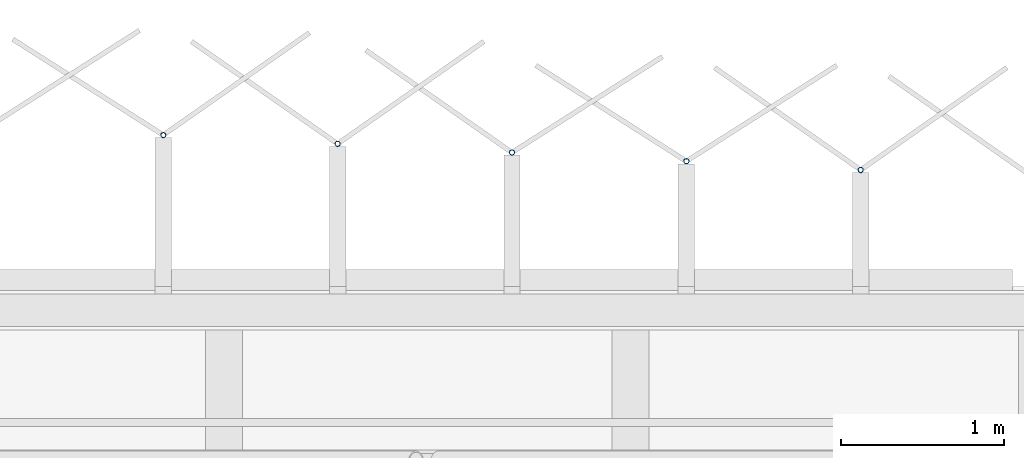
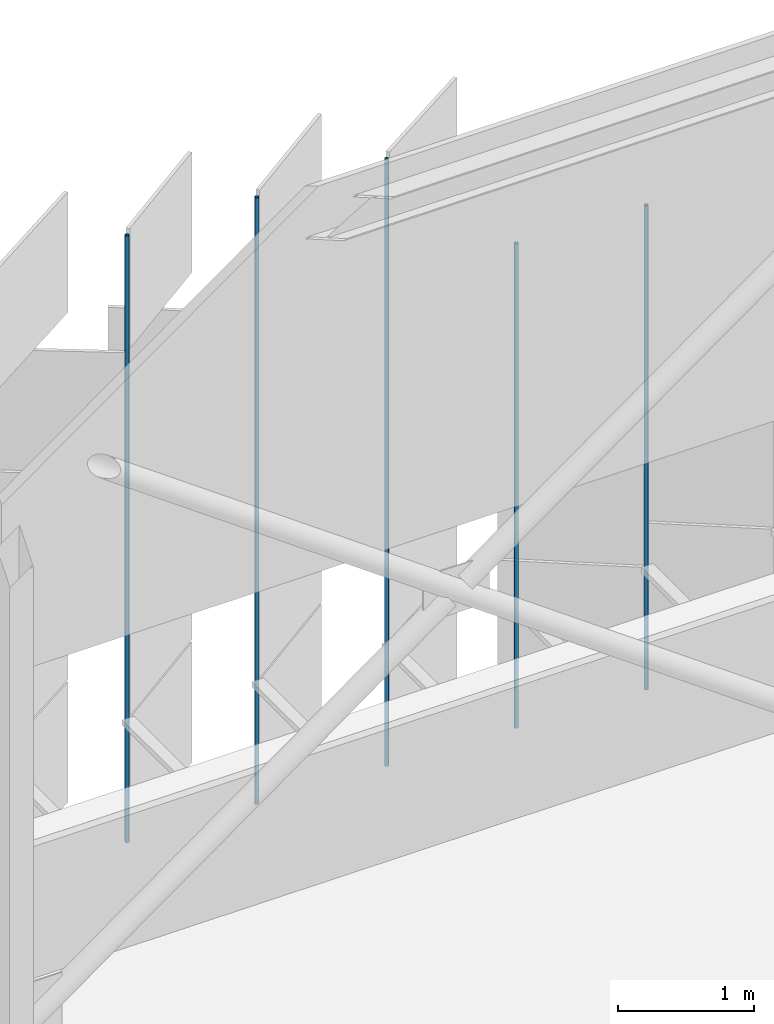
# One storey, part 334 of 483: 5 discrete accessories.
"""IFC4 building model written with IfcOpenShell, lengths in metres."""

import ifcopenshell
import ifcopenshell.guid

model = None  # the IFC model being written
_history = None  # IfcOwnerHistory: only IFC2X3 demands one
_inside = {}  # id of a spatial element -> (the spatial element, [elements in it])
_under = {}  # id of a project, library or spatial element -> (it, [spatial elements below it])
_declared = {}  # id of a project -> (the project, [libraries it declares])
_typed = {}  # id of a type object -> (the type object, [elements of that type])
_made_of = {}  # id of a material, layer set ... -> (it, [elements and type objects made of it])


def new_model(schema):
    """Start an empty IFC model of exactly this schema.

    Asked for "IFC4X3", IfcOpenShell would pick the latest addendum, in which some entities
    have other attributes; the version numbers below select the first issue.
    IFC2X3 requires an IfcOwnerHistory on every rooted entity: one is made here for all.
    """
    global model, _history
    if schema == "IFC4X3":
        model = ifcopenshell.file(schema_version=(4, 3, 0, 0))
    else:
        model = ifcopenshell.file(schema=schema)
    _inside.clear()
    _under.clear()
    _declared.clear()
    _typed.clear()
    _made_of.clear()
    _history = None
    if model.schema == "IFC2X3":
        org = make("IfcOrganization", Name="unknown")
        user = make(
            "IfcPersonAndOrganization",
            ThePerson=make("IfcPerson", FamilyName="unknown"),
            TheOrganization=org,
        )
        app = make(
            "IfcApplication",
            ApplicationDeveloper=org,
            Version="unknown",
            ApplicationFullName="unknown",
            ApplicationIdentifier="unknown",
        )
        _history = make(
            "IfcOwnerHistory",
            OwningUser=user,
            OwningApplication=app,
            ChangeAction="ADDED",
            CreationDate=0,
        )
    return model


def make(cls, **values):
    """One entity of the class cls with the attributes given. An attribute that is None is left unset."""
    return model.create_entity(
        cls, **{name: value for name, value in values.items() if value is not None}
    )


def rooted(cls, **values):
    """An entity with a GlobalId (a new one), such as an element, a storey or a relation."""
    return make(cls, GlobalId=ifcopenshell.guid.new(), OwnerHistory=_history, **values)


def si_unit(unit_type, name, prefix=None):
    """IfcSIUnit, for example si_unit("LENGTHUNIT", "METRE", prefix="MILLI")."""
    return make("IfcSIUnit", UnitType=unit_type, Prefix=prefix, Name=name)


def assignment(units):
    """IfcUnitAssignment: the units of a project."""
    return None if units is None else make("IfcUnitAssignment", Units=units)


def point(xyz):
    """IfcCartesianPoint."""
    return None if xyz is None else make("IfcCartesianPoint", Coordinates=xyz)


def direction(xyz):
    """IfcDirection."""
    return None if xyz is None else make("IfcDirection", DirectionRatios=xyz)


def frame(location, z_axis=None, x_axis=None):
    """IfcAxis2Placement3D, a coordinate frame: its origin and axes. An axis left out is left unset."""
    return make(
        "IfcAxis2Placement3D",
        Location=point(location),
        Axis=direction(z_axis),
        RefDirection=direction(x_axis),
    )


def frame_2d(location, x_axis=None):
    """IfcAxis2Placement2D, a coordinate frame in the plane: its origin and x axis."""
    return make(
        "IfcAxis2Placement2D", Location=point(location), RefDirection=direction(x_axis)
    )


def origin():
    """The frame at (0, 0, 0) with its axes left unset."""
    return frame((0.0, 0.0, 0.0))


def origin_2d():
    """The frame at (0, 0) in the plane with its x axis left unset."""
    return frame_2d((0.0, 0.0))


def place(relative_to, where):
    """IfcLocalPlacement: puts the frame where relative to a parent placement (None: the world)."""
    return make(
        "IfcLocalPlacement", PlacementRelTo=relative_to, RelativePlacement=where
    )


def context(
    kind, dimensions, precision=None, world=None, true_north=None, identifier=None
):
    """IfcGeometricRepresentationContext, for example the 3D "Model" context."""
    return make(
        "IfcGeometricRepresentationContext",
        ContextIdentifier=identifier,
        ContextType=kind,
        CoordinateSpaceDimension=dimensions,
        Precision=precision,
        WorldCoordinateSystem=world,
        TrueNorth=true_north,
    )


def subcontext(parent, identifier, kind, view, scale=None):
    """IfcGeometricRepresentationSubContext, for example "Body" below "Model"."""
    return make(
        "IfcGeometricRepresentationSubContext",
        ContextIdentifier=identifier,
        ContextType=kind,
        ParentContext=parent,
        TargetScale=scale,
        TargetView=view,
    )


def project(units=None, contexts=None):
    """IfcProject with its units and contexts."""
    return rooted(
        "IfcProject",
        Name="project",
        RepresentationContexts=contexts,
        UnitsInContext=assignment(units),
    )


def spatial(cls, under=None, at=None, **own):
    """A site, building, storey or space (cls), placed at a placement, below another one or the project."""
    s = rooted(cls, ObjectPlacement=at, **own)
    if under is not None:
        _under.setdefault(under.id(), (under, []))[1].append(s)
    return s


def profile(cls, at=None, kind="AREA", **sizes):
    """A parametric profile (cls). Its sizes go by their IFC names, for example OverallWidth=200.0."""
    return make(cls, ProfileType=kind, Position=at, **sizes)


def hollow_circle(**sizes):
    """IfcCircleHollowProfileDef."""
    return profile("IfcCircleHollowProfileDef", **sizes)


def extrude(swept, where, along, depth):
    """IfcExtrudedAreaSolid: the profile swept, set in the frame where, extruded along a direction by depth."""
    return make(
        "IfcExtrudedAreaSolid",
        SweptArea=swept,
        Position=where,
        ExtrudedDirection=direction(along),
        Depth=depth,
    )


def shape(context_of_items, identifier, shape_type, items):
    """IfcShapeRepresentation: the items that make up one representation, for example the "Body"."""
    return make(
        "IfcShapeRepresentation",
        ContextOfItems=context_of_items,
        RepresentationIdentifier=identifier,
        RepresentationType=shape_type,
        Items=items,
    )


def material(Name=None, Category=None):
    """IfcMaterial."""
    return make("IfcMaterial", Name=Name, Category=Category)


def material_profile(
    of_material, cross_section, Name=None, Category=None, Priority=None
):
    """IfcMaterialProfile: a cross section and its material."""
    return make(
        "IfcMaterialProfile",
        Name=Name,
        Material=of_material,
        Profile=cross_section,
        Priority=Priority,
        Category=Category,
    )


def profile_set(profiles, Name=None, composite=None):
    """IfcMaterialProfileSet."""
    return make(
        "IfcMaterialProfileSet",
        Name=Name,
        MaterialProfiles=profiles,
        CompositeProfile=composite,
    )


def made_of(thing, what):
    """Note that an element or type object is made of a material, layer set ...; save() writes the relation."""
    if what is not None:
        _made_of.setdefault(what.id(), (what, []))[1].append(thing)
    return thing


def type_object(cls, material=None, **own):
    """A type object (cls), such as IfcWallType, which elements share."""
    return made_of(rooted(cls, **own), material)


def element(
    cls,
    number,
    at=None,
    inside=None,
    cuts=None,
    type_object=None,
    material=None,
    context=None,
    identifier="Body",
    shape_type=None,
    held_by="IfcProductDefinitionShape",
    body=None,
    shapes=None,
    **own,
):
    """One element of the class cls, such as IfcWall. Its Tag is "e" and its number.

    at: its placement. inside: the storey or other place that contains it. cuts: it is an
    opening in that element (IfcRelVoidsElement). A single representation is given by context,
    identifier, shape_type and body (its items); several are given by shapes. held_by: the class
    of the entity that holds the representations. save() writes the other relations.
    """
    e = rooted(cls, Tag="e%d" % number, ObjectPlacement=at, **own)
    if body is not None:
        shapes = [shape(context, identifier, shape_type, body)]
    if shapes is not None:
        e.Representation = make(held_by, Representations=shapes)
    if inside is not None:
        _inside.setdefault(inside.id(), (inside, []))[1].append(e)
    if cuts is not None:
        rooted(
            "IfcRelVoidsElement", RelatingBuildingElement=cuts, RelatedOpeningElement=e
        )
    if type_object is not None:
        _typed.setdefault(type_object.id(), (type_object, []))[1].append(e)
    return made_of(e, material)


def aggregate(whole, parts):
    """IfcRelAggregates: a whole, such as a stair, and the parts it consists of."""
    return rooted("IfcRelAggregates", RelatingObject=whole, RelatedObjects=parts)


def save(model, path):
    """Write the relations noted so far, then the file.

    IfcRelAggregates (storeys below a building ...), IfcRelContainedInSpatialStructure (elements
    in a storey), IfcRelDefinesByType, IfcRelAssociatesMaterial and IfcRelDeclares: one each for
    every whole, place, type object, material and project.
    """
    for whole, parts in _under.values():
        aggregate(whole, parts)
    for where, things in _inside.values():
        rooted(
            "IfcRelContainedInSpatialStructure",
            RelatedElements=things,
            RelatingStructure=where,
        )
    for kind, things in _typed.values():
        rooted("IfcRelDefinesByType", RelatedObjects=things, RelatingType=kind)
    for what, things in _made_of.values():
        rooted("IfcRelAssociatesMaterial", RelatedObjects=things, RelatingMaterial=what)
    for by, libraries in _declared.values():
        rooted("IfcRelDeclares", RelatingContext=by, RelatedDefinitions=libraries)
    model.write(path)


model = new_model("IFC4")

# Units and contexts
model_context = context("Model", 3, precision=1e-05, world=origin(), true_north=direction((0.0, 1.0)))
body_context = subcontext(model_context, "Body", "Model", "MODEL_VIEW")
ifc_project = project(units=[si_unit("LENGTHUNIT", "METRE"), si_unit("AREAUNIT", "SQUARE_METRE"), si_unit("VOLUMEUNIT", "CUBIC_METRE"), si_unit("PLANEANGLEUNIT", "RADIAN"), si_unit("MASSUNIT", "GRAM", prefix="KILO")], contexts=[model_context])

# Site, building, storey
site_placement = place(None, origin())
site = spatial("IfcSite", under=ifc_project, at=site_placement, CompositionType="ELEMENT")
building_placement = place(site_placement, origin())
building = spatial("IfcBuilding", under=site, at=building_placement, Name="Parallax Yard Mobility Hub", CompositionType="ELEMENT")
storey_placement = place(building_placement, frame((0.0, 0.0, 13.199951171875)))
storey = spatial("IfcBuildingStorey", under=building, at=storey_placement, Name="L04", CompositionType="ELEMENT", Elevation=13.199951171875)

# Discrete accessories
ifc_material = material(Name="Steel ASTM A500 Gr C, hot-dip galvanised", Category="steel")
ifc_material_profile = material_profile(ifc_material, hollow_circle(Radius=0.016845703125, WallThickness=0.003173828125, at=origin_2d()), Name="CHS 33.7x3.2")
ifc_profile_set = profile_set([ifc_material_profile], Name="Steel ASTM A500 Gr C, hot-dip galvanised")
discrete_accessory_type = type_object("IfcDiscreteAccessoryType", Name="Hinge post CHS 33.7x3.2", PredefinedType="BRACKET", material=ifc_profile_set)
for number, where, z_axis, x_axis, name in (
    (1, (36.414306640625, 143.216064453125, 0.0), (0.0, 0.0, 1.0), (1.0, 0.0, 0.0), "Hinge post bay 69.2 level L04"),
    (2, (35.3427734375, 143.269775390625, 0.0), (0.0, 0.0, 1.0), (1.0, 0.0, 0.0), "Hinge post bay 69.3 level L04"),
):
    element("IfcDiscreteAccessory", number, at=place(storey_placement, frame(where, z_axis=z_axis, x_axis=x_axis)), inside=storey, type_object=discrete_accessory_type, Name=name, PredefinedType="BRACKET", context=body_context, shape_type="SweptSolid", body=[
        extrude(hollow_circle(Radius=0.016845703125, WallThickness=0.003173828125, at=origin_2d()), origin(), (0.0, 0.0, 1.0), 4.35009765625),
    ])
for number, where, z_axis, x_axis, name in (
    (3, (34.271240234375, 143.3232421875, 0.0), (0.0, 0.0, 1.0), (1.0, 0.0, 0.0), "Hinge post bay 69.4 level L04"),
    (4, (33.19970703125, 143.376708984375, 0.0), (0.0, 0.0, 1.0), (1.0, 0.0, 0.0), "Hinge post bay 69.5 level L04"),
    (5, (32.128173828125, 143.430419921875, 0.0), (0.0, 0.0, 1.0), (1.0, 0.0, 0.0), "Hinge post bay 69.6 level L04"),
):
    element("IfcDiscreteAccessory", number, at=place(storey_placement, frame(where, z_axis=z_axis, x_axis=x_axis)), inside=storey, type_object=discrete_accessory_type, Name=name, PredefinedType="BRACKET", context=body_context, shape_type="SweptSolid", body=[
        extrude(hollow_circle(Radius=0.016845703125, WallThickness=0.003173828125, at=origin_2d()), origin(), (0.0, 0.0, 1.0), 5.449951171875),
    ])

save(model, "model.ifc")
